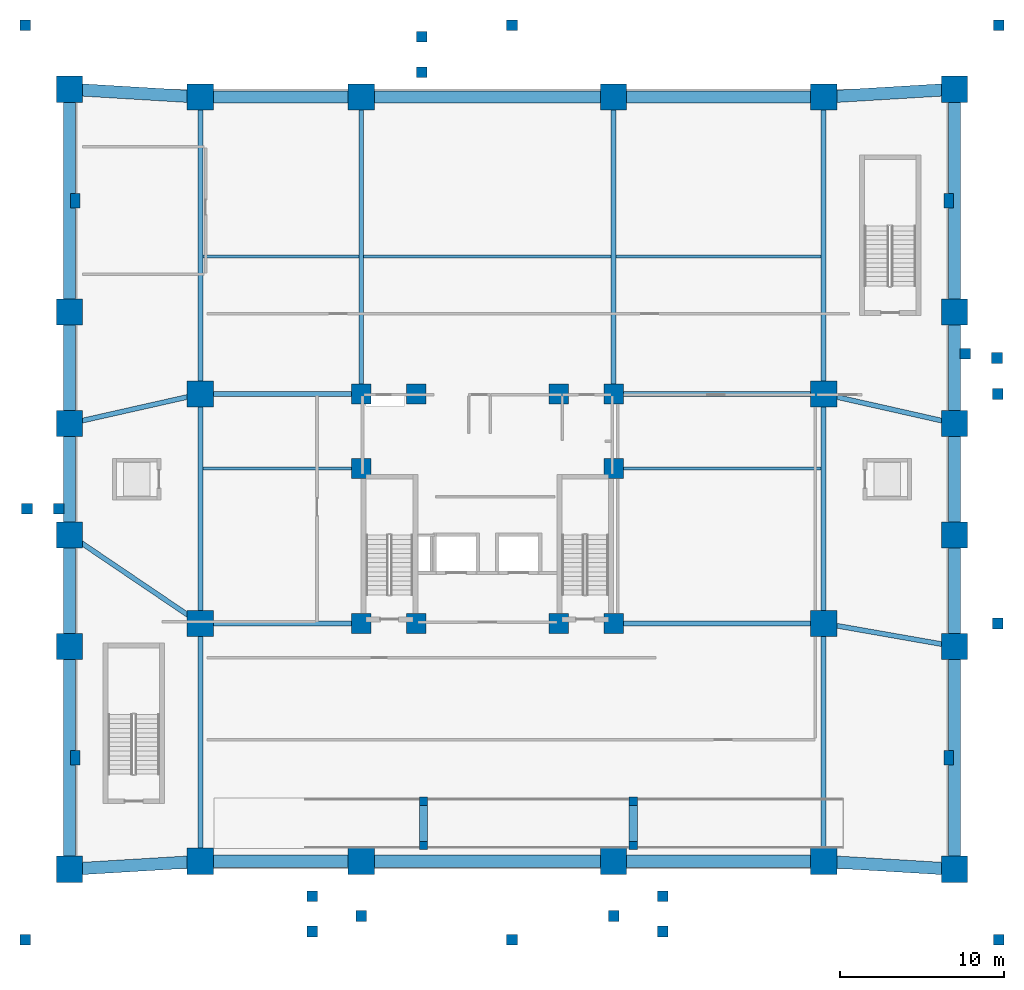
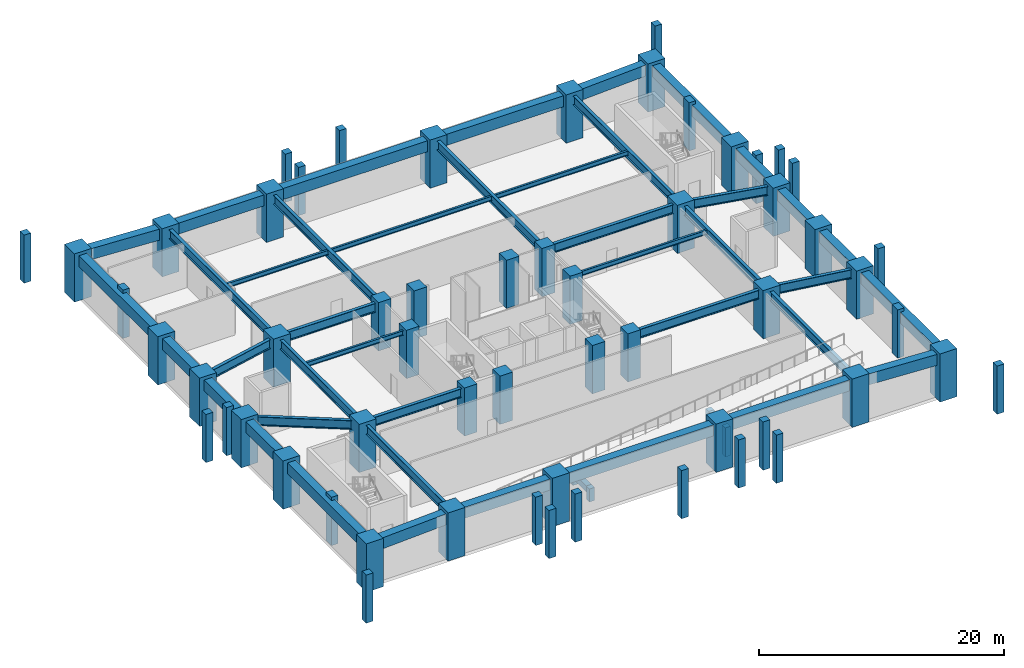
# One storey, part 1 of 8: 62 columns, 43 beams.
"""IFC4 building model written with IfcOpenShell, lengths in metres."""

import ifcopenshell
import ifcopenshell.guid

model = None  # the IFC model being written
_history = None  # IfcOwnerHistory: only IFC2X3 demands one
_inside = {}  # id of a spatial element -> (the spatial element, [elements in it])
_under = {}  # id of a project, library or spatial element -> (it, [spatial elements below it])
_declared = {}  # id of a project -> (the project, [libraries it declares])
_typed = {}  # id of a type object -> (the type object, [elements of that type])
_made_of = {}  # id of a material, layer set ... -> (it, [elements and type objects made of it])


def new_model(schema):
    """Start an empty IFC model of exactly this schema.

    Asked for "IFC4X3", IfcOpenShell would pick the latest addendum, in which some entities
    have other attributes; the version numbers below select the first issue.
    IFC2X3 requires an IfcOwnerHistory on every rooted entity: one is made here for all.
    """
    global model, _history
    if schema == "IFC4X3":
        model = ifcopenshell.file(schema_version=(4, 3, 0, 0))
    else:
        model = ifcopenshell.file(schema=schema)
    _inside.clear()
    _under.clear()
    _declared.clear()
    _typed.clear()
    _made_of.clear()
    _history = None
    if model.schema == "IFC2X3":
        org = make("IfcOrganization", Name="unknown")
        user = make(
            "IfcPersonAndOrganization",
            ThePerson=make("IfcPerson", FamilyName="unknown"),
            TheOrganization=org,
        )
        app = make(
            "IfcApplication",
            ApplicationDeveloper=org,
            Version="unknown",
            ApplicationFullName="unknown",
            ApplicationIdentifier="unknown",
        )
        _history = make(
            "IfcOwnerHistory",
            OwningUser=user,
            OwningApplication=app,
            ChangeAction="ADDED",
            CreationDate=0,
        )
    return model


def make(cls, **values):
    """One entity of the class cls with the attributes given. An attribute that is None is left unset."""
    return model.create_entity(
        cls, **{name: value for name, value in values.items() if value is not None}
    )


def rooted(cls, **values):
    """An entity with a GlobalId (a new one), such as an element, a storey or a relation."""
    return make(cls, GlobalId=ifcopenshell.guid.new(), OwnerHistory=_history, **values)


def si_unit(unit_type, name, prefix=None):
    """IfcSIUnit, for example si_unit("LENGTHUNIT", "METRE", prefix="MILLI")."""
    return make("IfcSIUnit", UnitType=unit_type, Prefix=prefix, Name=name)


def derived_unit(unit_type, elements):
    """IfcDerivedUnit: a product of units, each with its exponent."""
    return make(
        "IfcDerivedUnit",
        Elements=[
            make("IfcDerivedUnitElement", Unit=unit, Exponent=power)
            for unit, power in elements
        ],
        UnitType=unit_type,
    )


def assignment(units):
    """IfcUnitAssignment: the units of a project."""
    return None if units is None else make("IfcUnitAssignment", Units=units)


def point(xyz):
    """IfcCartesianPoint."""
    return None if xyz is None else make("IfcCartesianPoint", Coordinates=xyz)


def direction(xyz):
    """IfcDirection."""
    return None if xyz is None else make("IfcDirection", DirectionRatios=xyz)


def frame(location, z_axis=None, x_axis=None):
    """IfcAxis2Placement3D, a coordinate frame: its origin and axes. An axis left out is left unset."""
    return make(
        "IfcAxis2Placement3D",
        Location=point(location),
        Axis=direction(z_axis),
        RefDirection=direction(x_axis),
    )


def frame_2d(location, x_axis=None):
    """IfcAxis2Placement2D, a coordinate frame in the plane: its origin and x axis."""
    return make(
        "IfcAxis2Placement2D", Location=point(location), RefDirection=direction(x_axis)
    )


def origin():
    """The frame at (0, 0, 0) with its axes left unset."""
    return frame((0.0, 0.0, 0.0))


def origin_2d():
    """The frame at (0, 0) in the plane with its x axis left unset."""
    return frame_2d((0.0, 0.0))


def place(relative_to, where):
    """IfcLocalPlacement: puts the frame where relative to a parent placement (None: the world)."""
    return make(
        "IfcLocalPlacement", PlacementRelTo=relative_to, RelativePlacement=where
    )


def context(
    kind, dimensions, precision=None, world=None, true_north=None, identifier=None
):
    """IfcGeometricRepresentationContext, for example the 3D "Model" context."""
    return make(
        "IfcGeometricRepresentationContext",
        ContextIdentifier=identifier,
        ContextType=kind,
        CoordinateSpaceDimension=dimensions,
        Precision=precision,
        WorldCoordinateSystem=world,
        TrueNorth=true_north,
    )


def subcontext(parent, identifier, kind, view, scale=None):
    """IfcGeometricRepresentationSubContext, for example "Body" below "Model"."""
    return make(
        "IfcGeometricRepresentationSubContext",
        ContextIdentifier=identifier,
        ContextType=kind,
        ParentContext=parent,
        TargetScale=scale,
        TargetView=view,
    )


def project(units=None, contexts=None):
    """IfcProject with its units and contexts."""
    return rooted(
        "IfcProject",
        Name="project",
        RepresentationContexts=contexts,
        UnitsInContext=assignment(units),
    )


def spatial(cls, under=None, at=None, **own):
    """A site, building, storey or space (cls), placed at a placement, below another one or the project."""
    s = rooted(cls, ObjectPlacement=at, **own)
    if under is not None:
        _under.setdefault(under.id(), (under, []))[1].append(s)
    return s


def profile(cls, at=None, kind="AREA", **sizes):
    """A parametric profile (cls). Its sizes go by their IFC names, for example OverallWidth=200.0."""
    return make(cls, ProfileType=kind, Position=at, **sizes)


def rectangle(**sizes):
    """IfcRectangleProfileDef."""
    return profile("IfcRectangleProfileDef", **sizes)


def i_section(**sizes):
    """IfcIShapeProfileDef."""
    return profile("IfcIShapeProfileDef", **sizes)


def extrude(swept, where, along, depth):
    """IfcExtrudedAreaSolid: the profile swept, set in the frame where, extruded along a direction by depth."""
    return make(
        "IfcExtrudedAreaSolid",
        SweptArea=swept,
        Position=where,
        ExtrudedDirection=direction(along),
        Depth=depth,
    )


def shape(context_of_items, identifier, shape_type, items):
    """IfcShapeRepresentation: the items that make up one representation, for example the "Body"."""
    return make(
        "IfcShapeRepresentation",
        ContextOfItems=context_of_items,
        RepresentationIdentifier=identifier,
        RepresentationType=shape_type,
        Items=items,
    )


def material(Name=None, Category=None):
    """IfcMaterial."""
    return make("IfcMaterial", Name=Name, Category=Category)


def material_profile(
    of_material, cross_section, Name=None, Category=None, Priority=None
):
    """IfcMaterialProfile: a cross section and its material."""
    return make(
        "IfcMaterialProfile",
        Name=Name,
        Material=of_material,
        Profile=cross_section,
        Priority=Priority,
        Category=Category,
    )


def profile_set(profiles, Name=None, composite=None):
    """IfcMaterialProfileSet."""
    return make(
        "IfcMaterialProfileSet",
        Name=Name,
        MaterialProfiles=profiles,
        CompositeProfile=composite,
    )


def made_of(thing, what):
    """Note that an element or type object is made of a material, layer set ...; save() writes the relation."""
    if what is not None:
        _made_of.setdefault(what.id(), (what, []))[1].append(thing)
    return thing


def type_object(cls, material=None, **own):
    """A type object (cls), such as IfcWallType, which elements share."""
    return made_of(rooted(cls, **own), material)


def element(
    cls,
    number,
    at=None,
    inside=None,
    cuts=None,
    type_object=None,
    material=None,
    context=None,
    identifier="Body",
    shape_type=None,
    held_by="IfcProductDefinitionShape",
    body=None,
    shapes=None,
    **own,
):
    """One element of the class cls, such as IfcWall. Its Tag is "e" and its number.

    at: its placement. inside: the storey or other place that contains it. cuts: it is an
    opening in that element (IfcRelVoidsElement). A single representation is given by context,
    identifier, shape_type and body (its items); several are given by shapes. held_by: the class
    of the entity that holds the representations. save() writes the other relations.
    """
    e = rooted(cls, Tag="e%d" % number, ObjectPlacement=at, **own)
    if body is not None:
        shapes = [shape(context, identifier, shape_type, body)]
    if shapes is not None:
        e.Representation = make(held_by, Representations=shapes)
    if inside is not None:
        _inside.setdefault(inside.id(), (inside, []))[1].append(e)
    if cuts is not None:
        rooted(
            "IfcRelVoidsElement", RelatingBuildingElement=cuts, RelatedOpeningElement=e
        )
    if type_object is not None:
        _typed.setdefault(type_object.id(), (type_object, []))[1].append(e)
    return made_of(e, material)


def aggregate(whole, parts):
    """IfcRelAggregates: a whole, such as a stair, and the parts it consists of."""
    return rooted("IfcRelAggregates", RelatingObject=whole, RelatedObjects=parts)


def save(model, path):
    """Write the relations noted so far, then the file.

    IfcRelAggregates (storeys below a building ...), IfcRelContainedInSpatialStructure (elements
    in a storey), IfcRelDefinesByType, IfcRelAssociatesMaterial and IfcRelDeclares: one each for
    every whole, place, type object, material and project.
    """
    for whole, parts in _under.values():
        aggregate(whole, parts)
    for where, things in _inside.values():
        rooted(
            "IfcRelContainedInSpatialStructure",
            RelatedElements=things,
            RelatingStructure=where,
        )
    for kind, things in _typed.values():
        rooted("IfcRelDefinesByType", RelatedObjects=things, RelatingType=kind)
    for what, things in _made_of.values():
        rooted("IfcRelAssociatesMaterial", RelatedObjects=things, RelatingMaterial=what)
    for by, libraries in _declared.values():
        rooted("IfcRelDeclares", RelatingContext=by, RelatedDefinitions=libraries)
    model.write(path)


model = new_model("IFC4")

# Units and contexts
model_context = context("Model", 3, precision=1e-05, world=origin(), true_north=direction((0.0, 1.0)))
body_context = subcontext(model_context, "Body", "Model", "MODEL_VIEW")
ifc_project = project(units=[si_unit("LENGTHUNIT", "METRE"), si_unit("AREAUNIT", "SQUARE_METRE"), si_unit("VOLUMEUNIT", "CUBIC_METRE"), si_unit("PLANEANGLEUNIT", "RADIAN"), si_unit("MASSUNIT", "GRAM", prefix="KILO"), derived_unit("THERMALTRANSMITTANCEUNIT", [(si_unit("MASSUNIT", "GRAM", prefix="KILO"), 1), (si_unit("TIMEUNIT", "SECOND"), -3), (si_unit("THERMODYNAMICTEMPERATUREUNIT", "KELVIN"), -1)])], contexts=[model_context])

# Site, building, storey
site_placement = place(None, origin())
site = spatial("IfcSite", under=ifc_project, at=site_placement, CompositionType="ELEMENT")
building_placement = place(site_placement, origin())
building = spatial("IfcBuilding", under=site, at=building_placement, Name="Korrvale Station Residences", CompositionType="ELEMENT")
storey_placement = place(building_placement, frame((0.0, 0.0, -4.800048828125)))
storey = spatial("IfcBuildingStorey", under=building, at=storey_placement, Name="B01", CompositionType="ELEMENT", Elevation=-4.800048828125)

# Columns
ifc_material_1 = material(Name="Concrete C70/85", Category="concrete")
ifc_material_profile_1 = material_profile(ifc_material_1, rectangle(XDim=1.199951171875, YDim=1.199951171875, at=origin_2d()), Name="RC1200x1200")
ifc_profile_set_1 = profile_set([ifc_material_profile_1], Name="Concrete C70/85")
column_type_1 = type_object("IfcColumnType", Name="COL-C-RC1200x1200-C7085", PredefinedType="COLUMN", material=ifc_profile_set_1)
for number, where, z_axis, x_axis, name in (
    (1, (17.800048828125, 15.0, 0.0), (0.0, 0.0, 1.0), (1.0, 0.0, 0.0), "B01 Core Column 25"),
    (2, (21.14990234375, 15.0, 0.0), (0.0, 0.0, 1.0), (1.0, 0.0, 0.0), "B01 Core Column 26"),
    (3, (29.85009765625, 15.0, 0.0), (0.0, 0.0, 1.0), (1.0, 0.0, 0.0), "B01 Core Column 27"),
    (4, (33.199951171875, 15.0, 0.0), (0.0, 0.0, 1.0), (1.0, 0.0, 0.0), "B01 Core Column 28"),
    (5, (17.800048828125, 29.0, 0.0), (0.0, 0.0, 1.0), (1.0, 0.0, 0.0), "B01 Core Column 29"),
    (6, (21.14990234375, 29.0, 0.0), (0.0, 0.0, 1.0), (1.0, 0.0, 0.0), "B01 Core Column 30"),
    (7, (29.85009765625, 29.0, 0.0), (0.0, 0.0, 1.0), (1.0, 0.0, 0.0), "B01 Core Column 31"),
    (8, (33.199951171875, 29.0, 0.0), (0.0, 0.0, 1.0), (1.0, 0.0, 0.0), "B01 Core Column 32"),
    (9, (17.800048828125, 24.449951171875, 0.0), (0.0, 0.0, 1.0), (1.0, 0.0, 0.0), "B01 Core Column 33"),
    (10, (33.199951171875, 24.449951171875, 0.0), (0.0, 0.0, 1.0), (1.0, 0.0, 0.0), "B01 Core Column 34"),
):
    element("IfcColumn", number, at=place(storey_placement, frame(where, z_axis=z_axis, x_axis=x_axis)), inside=storey, type_object=column_type_1, Name=name, PredefinedType="COLUMN", context=body_context, shape_type="SweptSolid", body=[
        extrude(rectangle(XDim=1.199951171875, YDim=1.199951171875, at=origin_2d()), origin(), (0.0, 0.0, 1.0), 4.800048828125),
    ])
ifc_material_profile_2 = material_profile(ifc_material_1, rectangle(XDim=1.60009765625, YDim=1.60009765625, at=origin_2d()), Name="RC1600x1600")
ifc_profile_set_2 = profile_set([ifc_material_profile_2], Name="Concrete C70/85")
column_type_2 = type_object("IfcColumnType", Name="COL-C-RC1600x1600-C7085", PredefinedType="COLUMN", material=ifc_profile_set_2)
for number, where, z_axis, x_axis, name in (
    (11, (0.0, 0.0, 0.0), (0.0, 0.0, 1.0), (1.0, 0.0, 0.0), "B01 Station Mega-Column 01"),
    (12, (0.0, 13.60009765625, 0.0), (0.0, 0.0, 1.0), (1.0, 0.0, 0.0), "B01 Station Mega-Column 02"),
    (13, (0.0, 20.39990234375, 0.0), (0.0, 0.0, 1.0), (1.0, 0.0, 0.0), "B01 Station Mega-Column 03"),
    (14, (0.0, 27.199951171875, 0.0), (0.0, 0.0, 1.0), (1.0, 0.0, 0.0), "B01 Station Mega-Column 04"),
    (15, (0.0, 34.0, 0.0), (0.0, 0.0, 1.0), (1.0, 0.0, 0.0), "B01 Station Mega-Column 05"),
    (16, (0.0, 47.60009765625, 0.0), (0.0, 0.0, 1.0), (1.0, 0.0, 0.0), "B01 Station Mega-Column 06"),
    (17, (54.0, 0.0, 0.0), (0.0, 0.0, 1.0), (1.0, 0.0, 0.0), "B01 Station Mega-Column 07"),
    (18, (54.0, 13.60009765625, 0.0), (0.0, 0.0, 1.0), (1.0, 0.0, 0.0), "B01 Station Mega-Column 08"),
    (19, (54.0, 20.39990234375, 0.0), (0.0, 0.0, 1.0), (1.0, 0.0, 0.0), "B01 Station Mega-Column 09"),
    (20, (54.0, 27.199951171875, 0.0), (0.0, 0.0, 1.0), (1.0, 0.0, 0.0), "B01 Station Mega-Column 10"),
    (21, (54.0, 34.0, 0.0), (0.0, 0.0, 1.0), (1.0, 0.0, 0.0), "B01 Station Mega-Column 11"),
    (22, (54.0, 47.60009765625, 0.0), (0.0, 0.0, 1.0), (1.0, 0.0, 0.0), "B01 Station Mega-Column 12"),
    (23, (7.97998046875, 0.47998046875, 0.0), (0.0, 0.0, 1.0), (1.0, 0.0, 0.0), "B01 Station Mega-Column 13"),
    (24, (7.97998046875, 15.0, 0.0), (0.0, 0.0, 1.0), (1.0, 0.0, 0.0), "B01 Station Mega-Column 14"),
    (25, (7.97998046875, 29.0, 0.0), (0.0, 0.0, 1.0), (1.0, 0.0, 0.0), "B01 Station Mega-Column 15"),
    (26, (7.97998046875, 47.1201171875, 0.0), (0.0, 0.0, 1.0), (1.0, 0.0, 0.0), "B01 Station Mega-Column 16"),
    (27, (46.02001953125, 0.47998046875, 0.0), (0.0, 0.0, 1.0), (1.0, 0.0, 0.0), "B01 Station Mega-Column 17"),
    (28, (46.02001953125, 15.0, 0.0), (0.0, 0.0, 1.0), (1.0, 0.0, 0.0), "B01 Station Mega-Column 18"),
    (29, (46.02001953125, 29.0, 0.0), (0.0, 0.0, 1.0), (1.0, 0.0, 0.0), "B01 Station Mega-Column 19"),
    (30, (46.02001953125, 47.1201171875, 0.0), (0.0, 0.0, 1.0), (1.0, 0.0, 0.0), "B01 Station Mega-Column 20"),
    (31, (17.800048828125, 0.47998046875, 0.0), (0.0, 0.0, 1.0), (1.0, 0.0, 0.0), "B01 Station Mega-Column 21"),
    (32, (17.800048828125, 47.1201171875, 0.0), (0.0, 0.0, 1.0), (1.0, 0.0, 0.0), "B01 Station Mega-Column 22"),
    (33, (33.199951171875, 0.47998046875, 0.0), (0.0, 0.0, 1.0), (1.0, 0.0, 0.0), "B01 Station Mega-Column 23"),
    (34, (33.199951171875, 47.1201171875, 0.0), (0.0, 0.0, 1.0), (1.0, 0.0, 0.0), "B01 Station Mega-Column 24"),
):
    element("IfcColumn", number, at=place(storey_placement, frame(where, z_axis=z_axis, x_axis=x_axis)), inside=storey, type_object=column_type_2, Name=name, PredefinedType="COLUMN", context=body_context, shape_type="SweptSolid", body=[
        extrude(rectangle(XDim=1.60009765625, YDim=1.60009765625, at=origin_2d()), origin(), (0.0, 0.0, 1.0), 4.800048828125),
    ])
ifc_material_profile_3 = material_profile(ifc_material_1, rectangle(XDim=0.5, YDim=0.5, at=origin_2d()), Name="RC500x500")
ifc_profile_set_3 = profile_set([ifc_material_profile_3], Name="Concrete C70/85")
column_type_3 = type_object("IfcColumnType", Name="COL-C-RC500x500-C7085", PredefinedType="COLUMN", material=ifc_profile_set_3)
for number, where, z_axis, x_axis, name in (
    (35, (21.60009765625, 1.449951171875, 0.0), (0.0, 0.0, 1.0), (1.0, 0.0, 0.0), "B01 Vehicle Ramp Support Pier 1S"),
    (36, (21.60009765625, 4.14990234375, 0.0), (0.0, 0.0, 1.0), (1.0, 0.0, 0.0), "B01 Vehicle Ramp Support Pier 1N"),
):
    element("IfcColumn", number, at=place(storey_placement, frame(where, z_axis=z_axis, x_axis=x_axis)), inside=storey, type_object=column_type_3, Name=name, PredefinedType="COLUMN", context=body_context, shape_type="SweptSolid", body=[
        extrude(rectangle(XDim=0.5, YDim=0.5, at=origin_2d()), origin(), (0.0, 0.0, 1.0), 1.300048828125),
    ])
for number, where, z_axis, x_axis, name in (
    (37, (34.39990234375, 1.449951171875, 0.0), (0.0, 0.0, 1.0), (1.0, 0.0, 0.0), "B01 Vehicle Ramp Support Pier 2S"),
    (38, (34.39990234375, 4.14990234375, 0.0), (0.0, 0.0, 1.0), (1.0, 0.0, 0.0), "B01 Vehicle Ramp Support Pier 2N"),
):
    element("IfcColumn", number, at=place(storey_placement, frame(where, z_axis=z_axis, x_axis=x_axis)), inside=storey, type_object=column_type_3, Name=name, PredefinedType="COLUMN", context=body_context, shape_type="SweptSolid", body=[
        extrude(rectangle(XDim=0.5, YDim=0.5, at=origin_2d()), origin(), (0.0, 0.0, 1.0), 2.900146484375),
    ])
ifc_material_2 = material(Name="Concrete C50/60", Category="concrete")
ifc_material_profile_4 = material_profile(ifc_material_2, rectangle(XDim=0.64990234375, YDim=0.64990234375, at=origin_2d()), Name="RC650x650")
ifc_profile_set_4 = profile_set([ifc_material_profile_4], Name="Concrete C50/60")
column_type_4 = type_object("IfcColumnType", Name="COL-C-RC650x650-C5060", PredefinedType="COLUMN", material=ifc_profile_set_4)
for number, where, z_axis, x_axis, name in (
    (39, (-2.699951171875, -4.300048828125, 0.0), (0.0, 0.0, 1.0), (1.0, 0.0, 0.0), "B01 Plaza Substructure Pier 1"),
    (40, (27.0, -4.300048828125, 0.0), (0.0, 0.0, 1.0), (1.0, 0.0, 0.0), "B01 Plaza Substructure Pier 2"),
    (41, (56.699951171875, -4.300048828125, 0.0), (0.0, 0.0, 1.0), (1.0, 0.0, 0.0), "B01 Plaza Substructure Pier 3"),
    (42, (-2.699951171875, 51.5, 0.0), (0.0, 0.0, 1.0), (1.0, 0.0, 0.0), "B01 Plaza Substructure Pier 4"),
    (43, (27.0, 51.5, 0.0), (0.0, 0.0, 1.0), (1.0, 0.0, 0.0), "B01 Plaza Substructure Pier 5"),
    (44, (56.699951171875, 51.5, 0.0), (0.0, 0.0, 1.0), (1.0, 0.0, 0.0), "B01 Plaza Substructure Pier 6"),
    (45, (14.800048828125, -3.800048828125, 0.0), (0.0, 0.0, 1.0), (1.0, 0.0, 0.0), "B01 Plaza Substructure Pier 7"),
    (46, (14.800048828125, -1.639892578125, 0.0), (0.0, 0.0, 1.0), (1.0, 0.0, 0.0), "B01 Plaza Substructure Pier 8"),
    (47, (36.199951171875, -3.800048828125, 0.0), (0.0, 0.0, 1.0), (1.0, 0.0, 0.0), "B01 Plaza Substructure Pier 9"),
    (48, (36.199951171875, -1.639892578125, 0.0), (0.0, 0.0, 1.0), (1.0, 0.0, 0.0), "B01 Plaza Substructure Pier 10"),
    (49, (21.5, 50.800048828125, 0.0), (0.0, 0.0, 1.0), (1.0, 0.0, 0.0), "B01 Plaza Substructure Pier 11"),
    (50, (21.5, 48.639892578125, 0.0), (0.0, 0.0, 1.0), (1.0, 0.0, 0.0), "B01 Plaza Substructure Pier 12"),
    (51, (-2.60009765625, 22.0, 0.0), (0.0, 0.0, 1.0), (1.0, 0.0, 0.0), "B01 Plaza Substructure Pier 13"),
    (52, (-0.64990234375, 22.0, 0.0), (0.0, 0.0, 1.0), (1.0, 0.0, 0.0), "B01 Plaza Substructure Pier 14"),
    (53, (56.60009765625, 31.199951171875, 0.0), (0.0, 0.0, 1.0), (1.0, 0.0, 0.0), "B01 Plaza Substructure Pier 15"),
    (54, (54.64990234375, 31.449951171875, 0.0), (0.0, 0.0, 1.0), (1.0, 0.0, 0.0), "B01 Plaza Substructure Pier 16"),
    (55, (17.800048828125, -2.85009765625, 0.0), (0.0, 0.0, 1.0), (1.0, 0.0, 0.0), "B01 Canopy Substructure Column SOUTH1"),
    (56, (33.199951171875, -2.85009765625, 0.0), (0.0, 0.0, 1.0), (1.0, 0.0, 0.0), "B01 Canopy Substructure Column SOUTH2"),
    (57, (56.64990234375, 15.0, 0.0), (0.0, 0.0, 1.0), (1.0, 0.0, 0.0), "B01 Canopy Substructure Column EAST1"),
    (58, (56.64990234375, 29.0, 0.0), (0.0, 0.0, 1.0), (1.0, 0.0, 0.0), "B01 Canopy Substructure Column EAST2"),
):
    element("IfcColumn", number, at=place(storey_placement, frame(where, z_axis=z_axis, x_axis=x_axis)), inside=storey, type_object=column_type_4, Name=name, PredefinedType="COLUMN", context=body_context, shape_type="SweptSolid", body=[
        extrude(rectangle(XDim=0.64990234375, YDim=0.64990234375, at=origin_2d()), origin(), (0.0, 0.0, 1.0), 4.800048828125),
    ])
ifc_material_profile_5 = material_profile(ifc_material_1, rectangle(XDim=0.60009765625, YDim=0.89990234375, at=origin_2d()), Name="RC600x900")
ifc_profile_set_5 = profile_set([ifc_material_profile_5], Name="Concrete C70/85")
column_type_5 = type_object("IfcColumnType", Name="COL-PIL-RC600x900-C7085", PredefinedType="PILASTER", material=ifc_profile_set_5)
for number, where, z_axis, x_axis, name in (
    (59, (0.35009765625, 6.800048828125, 0.0), (0.0, 0.0, 1.0), (1.0, 0.0, 0.0), "B01 Concourse Portal Wall Pilaster 1"),
    (60, (0.35009765625, 40.800048828125, 0.0), (0.0, 0.0, 1.0), (1.0, 0.0, 0.0), "B01 Concourse Portal Wall Pilaster 2"),
    (61, (53.64990234375, 6.800048828125, 0.0), (0.0, 0.0, 1.0), (1.0, 0.0, 0.0), "B01 Concourse Portal Wall Pilaster 3"),
    (62, (53.64990234375, 40.800048828125, 0.0), (0.0, 0.0, 1.0), (1.0, 0.0, 0.0), "B01 Concourse Portal Wall Pilaster 4"),
):
    element("IfcColumn", number, at=place(storey_placement, frame(where, z_axis=z_axis, x_axis=x_axis)), inside=storey, type_object=column_type_5, Name=name, PredefinedType="PILASTER", context=body_context, shape_type="SweptSolid", body=[
        extrude(rectangle(XDim=0.60009765625, YDim=0.89990234375, at=origin_2d()), origin(), (0.0, 0.0, 1.0), 4.800048828125),
    ])

# Beams
ifc_material_profile_6 = material_profile(ifc_material_2, rectangle(XDim=0.5, YDim=0.60009765625, at=origin_2d()), Name="RCB500x600")
ifc_profile_set_6 = profile_set([ifc_material_profile_6], Name="Concrete C50/60")
beam_type_1 = type_object("IfcBeamType", Name="BM-BM-RCB500x600-C5060", PredefinedType="BEAM", material=ifc_profile_set_6)
for number, where, z_axis, x_axis, name in (
    (63, (21.60009765625, 1.25, 1.0), (0.0, 1.0, 0.0), (-1.0, 0.0, 0.0), "B01 Vehicle Ramp Transverse Support Beam 1"),
    (64, (34.39990234375, 1.25, 2.60009765625), (0.0, 1.0, 0.0), (-1.0, 0.0, 0.0), "B01 Vehicle Ramp Transverse Support Beam 2"),
):
    element("IfcBeam", number, at=place(storey_placement, frame(where, z_axis=z_axis, x_axis=x_axis)), inside=storey, type_object=beam_type_1, Name=name, PredefinedType="BEAM", context=body_context, shape_type="SweptSolid", body=[
        extrude(rectangle(XDim=0.5, YDim=0.60009765625, at=origin_2d()), origin(), (0.0, 0.0, 1.0), 3.10009765625),
    ])
ifc_material_3 = material(Name="Steel S355", Category="steel")
ifc_material_profile_7 = material_profile(ifc_material_3, i_section(OverallWidth=0.300048828125, OverallDepth=0.89990234375, WebThickness=0.01611328125, FlangeThickness=0.030029296875, FilletRadius=0.01611328125, at=origin_2d()), Name="WWF900x262")
ifc_profile_set_7 = profile_set([ifc_material_profile_7], Name="Steel S355")
beam_type_2 = type_object("IfcBeamType", Name="BM-BM-WWF900x262-S355", PredefinedType="BEAM", material=ifc_profile_set_7)
beam_1_placement = place(storey_placement, frame((7.97998046875, 0.47998046875, 4.030029296875), z_axis=(0.0, 1.0, 0.0), x_axis=(-1.0, 0.0, 0.0)))
element("IfcBeam", 65, at=beam_1_placement, inside=storey, type_object=beam_type_2, Name="B01 Station Primary Girder 01", PredefinedType="BEAM", context=body_context, shape_type="SweptSolid", body=[
    extrude(i_section(OverallWidth=0.300048828125, OverallDepth=0.89990234375, WebThickness=0.01611328125, FlangeThickness=0.030029296875, FilletRadius=0.01611328125, at=origin_2d()), origin(), (0.0, 0.0, 1.0), 14.52001953125),
])
beam_2_placement = place(storey_placement, frame((7.97998046875, 15.0, 4.030029296875), z_axis=(0.0, 1.0, 0.0), x_axis=(-1.0, 0.0, 0.0)))
element("IfcBeam", 66, at=beam_2_placement, inside=storey, type_object=beam_type_2, Name="B01 Station Primary Girder 02", PredefinedType="BEAM", context=body_context, shape_type="SweptSolid", body=[
    extrude(i_section(OverallWidth=0.300048828125, OverallDepth=0.89990234375, WebThickness=0.01611328125, FlangeThickness=0.030029296875, FilletRadius=0.01611328125, at=origin_2d()), origin(), (0.0, 0.0, 1.0), 14.0),
])
beam_3_placement = place(storey_placement, frame((7.97998046875, 29.0, 4.030029296875), z_axis=(0.0, 1.0, 0.0), x_axis=(-1.0, 0.0, 0.0)))
element("IfcBeam", 67, at=beam_3_placement, inside=storey, type_object=beam_type_2, Name="B01 Station Primary Girder 03", PredefinedType="BEAM", context=body_context, shape_type="SweptSolid", body=[
    extrude(i_section(OverallWidth=0.300048828125, OverallDepth=0.89990234375, WebThickness=0.01611328125, FlangeThickness=0.030029296875, FilletRadius=0.01611328125, at=origin_2d()), origin(), (0.0, 0.0, 1.0), 18.1201171875),
])
beam_4_placement = place(storey_placement, frame((46.02001953125, 0.47998046875, 4.030029296875), z_axis=(0.0, 1.0, 0.0), x_axis=(-1.0, 0.0, 0.0)))
element("IfcBeam", 68, at=beam_4_placement, inside=storey, type_object=beam_type_2, Name="B01 Station Primary Girder 04", PredefinedType="BEAM", context=body_context, shape_type="SweptSolid", body=[
    extrude(i_section(OverallWidth=0.300048828125, OverallDepth=0.89990234375, WebThickness=0.01611328125, FlangeThickness=0.030029296875, FilletRadius=0.01611328125, at=origin_2d()), origin(), (0.0, 0.0, 1.0), 14.52001953125),
])
beam_5_placement = place(storey_placement, frame((46.02001953125, 15.0, 4.030029296875), z_axis=(0.0, 1.0, 0.0), x_axis=(-1.0, 0.0, 0.0)))
element("IfcBeam", 69, at=beam_5_placement, inside=storey, type_object=beam_type_2, Name="B01 Station Primary Girder 05", PredefinedType="BEAM", context=body_context, shape_type="SweptSolid", body=[
    extrude(i_section(OverallWidth=0.300048828125, OverallDepth=0.89990234375, WebThickness=0.01611328125, FlangeThickness=0.030029296875, FilletRadius=0.01611328125, at=origin_2d()), origin(), (0.0, 0.0, 1.0), 14.0),
])
beam_6_placement = place(storey_placement, frame((46.02001953125, 29.0, 4.030029296875), z_axis=(0.0, 1.0, 0.0), x_axis=(-1.0, 0.0, 0.0)))
element("IfcBeam", 70, at=beam_6_placement, inside=storey, type_object=beam_type_2, Name="B01 Station Primary Girder 06", PredefinedType="BEAM", context=body_context, shape_type="SweptSolid", body=[
    extrude(i_section(OverallWidth=0.300048828125, OverallDepth=0.89990234375, WebThickness=0.01611328125, FlangeThickness=0.030029296875, FilletRadius=0.01611328125, at=origin_2d()), origin(), (0.0, 0.0, 1.0), 18.1201171875),
])
for number, where, z_axis, x_axis, name in (
    (71, (7.97998046875, 15.0, 4.030029296875), (1.0, 0.0, 0.0), (0.0, 1.0, 0.0), "B01 Station Primary Girder 07"),
    (72, (7.97998046875, 29.0, 4.030029296875), (1.0, 0.0, 0.0), (0.0, 1.0, 0.0), "B01 Station Primary Girder 08"),
):
    element("IfcBeam", number, at=place(storey_placement, frame(where, z_axis=z_axis, x_axis=x_axis)), inside=storey, type_object=beam_type_2, Name=name, PredefinedType="BEAM", context=body_context, shape_type="SweptSolid", body=[
        extrude(i_section(OverallWidth=0.300048828125, OverallDepth=0.89990234375, WebThickness=0.01611328125, FlangeThickness=0.030029296875, FilletRadius=0.01611328125, at=origin_2d()), origin(), (0.0, 0.0, 1.0), 9.820068359375),
    ])
for number, where, z_axis, x_axis, name in (
    (73, (17.800048828125, 29.0, 4.030029296875), (0.0, 1.0, 0.0), (-1.0, 0.0, 0.0), "B01 Station Primary Girder 09"),
    (74, (33.199951171875, 29.0, 4.030029296875), (0.0, 1.0, 0.0), (-1.0, 0.0, 0.0), "B01 Station Primary Girder 10"),
):
    element("IfcBeam", number, at=place(storey_placement, frame(where, z_axis=z_axis, x_axis=x_axis)), inside=storey, type_object=beam_type_2, Name=name, PredefinedType="BEAM", context=body_context, shape_type="SweptSolid", body=[
        extrude(i_section(OverallWidth=0.300048828125, OverallDepth=0.89990234375, WebThickness=0.01611328125, FlangeThickness=0.030029296875, FilletRadius=0.01611328125, at=origin_2d()), origin(), (0.0, 0.0, 1.0), 18.1201171875),
    ])
beam_7_placement = place(storey_placement, frame((0.0, 20.39990234375, 4.030029296875), z_axis=(0.828202472812, -0.560428999989, 0.0), x_axis=(0.560428999989, 0.828202472812, 0.0)))
element("IfcBeam", 75, at=beam_7_placement, inside=storey, type_object=beam_type_2, Name="B01 Station Primary Girder 11", PredefinedType="BEAM", context=body_context, shape_type="SweptSolid", body=[
    extrude(i_section(OverallWidth=0.300048828125, OverallDepth=0.89990234375, WebThickness=0.01611328125, FlangeThickness=0.030029296875, FilletRadius=0.01611328125, at=origin_2d()), origin(), (0.0, 0.0, 1.0), 9.63525390625),
])
beam_8_placement = place(storey_placement, frame((0.0, 27.199951171875, 4.030029296875), z_axis=(0.975490412643, 0.220041938824, 0.0), x_axis=(-0.220041938824, 0.975490412643, 0.0)))
element("IfcBeam", 76, at=beam_8_placement, inside=storey, type_object=beam_type_2, Name="B01 Station Primary Girder 12", PredefinedType="BEAM", context=body_context, shape_type="SweptSolid", body=[
    extrude(i_section(OverallWidth=0.300048828125, OverallDepth=0.89990234375, WebThickness=0.01611328125, FlangeThickness=0.030029296875, FilletRadius=0.01611328125, at=origin_2d()), origin(), (0.0, 0.0, 1.0), 8.180419921875),
])
beam_9_placement = place(storey_placement, frame((46.02001953125, 15.0, 4.030029296875), z_axis=(0.98495900412, -0.172788194628, 0.0), x_axis=(0.172788194628, 0.98495900412, 0.0)))
element("IfcBeam", 77, at=beam_9_placement, inside=storey, type_object=beam_type_2, Name="B01 Station Primary Girder 13", PredefinedType="BEAM", context=body_context, shape_type="SweptSolid", body=[
    extrude(i_section(OverallWidth=0.300048828125, OverallDepth=0.89990234375, WebThickness=0.01611328125, FlangeThickness=0.030029296875, FilletRadius=0.01611328125, at=origin_2d()), origin(), (0.0, 0.0, 1.0), 8.101806640625),
])
beam_10_placement = place(storey_placement, frame((46.02001953125, 29.0, 4.030029296875), z_axis=(0.975490412643, -0.220041938824, 0.0), x_axis=(0.220041938824, 0.975490412643, 0.0)))
element("IfcBeam", 78, at=beam_10_placement, inside=storey, type_object=beam_type_2, Name="B01 Station Primary Girder 14", PredefinedType="BEAM", context=body_context, shape_type="SweptSolid", body=[
    extrude(i_section(OverallWidth=0.300048828125, OverallDepth=0.89990234375, WebThickness=0.01611328125, FlangeThickness=0.030029296875, FilletRadius=0.01611328125, at=origin_2d()), origin(), (0.0, 0.0, 1.0), 8.180419921875),
])
for number, where, z_axis, x_axis, name in (
    (79, (33.199951171875, 15.0, 4.030029296875), (1.0, 0.0, 0.0), (0.0, 1.0, 0.0), "B01 Station Primary Girder 15"),
    (80, (33.199951171875, 29.0, 4.030029296875), (1.0, 0.0, 0.0), (0.0, 1.0, 0.0), "B01 Station Primary Girder 16"),
):
    element("IfcBeam", number, at=place(storey_placement, frame(where, z_axis=z_axis, x_axis=x_axis)), inside=storey, type_object=beam_type_2, Name=name, PredefinedType="BEAM", context=body_context, shape_type="SweptSolid", body=[
        extrude(i_section(OverallWidth=0.300048828125, OverallDepth=0.89990234375, WebThickness=0.01611328125, FlangeThickness=0.030029296875, FilletRadius=0.01611328125, at=origin_2d()), origin(), (0.0, 0.0, 1.0), 12.820068359375),
    ])
ifc_material_profile_8 = material_profile(ifc_material_3, i_section(OverallWidth=0.18994140625, OverallDepth=0.45703125, WebThickness=0.009033203125, FlangeThickness=0.014404296875, FilletRadius=0.01611328125, at=origin_2d()), Name="W460x74")
ifc_profile_set_8 = profile_set([ifc_material_profile_8], Name="Steel S355")
beam_type_3 = type_object("IfcBeamType", Name="BM-JST-W460x74-S355", PredefinedType="JOIST", material=ifc_profile_set_8)
beam_11_placement = place(storey_placement, frame((8.1298828125, 37.39990234375, 4.25146484375), z_axis=(1.0, 0.0, 0.0), x_axis=(0.0, 1.0, 0.0)))
element("IfcBeam", 81, at=beam_11_placement, inside=storey, type_object=beam_type_3, Name="B01 Station Floor Joist 01", PredefinedType="JOIST", context=body_context, shape_type="SweptSolid", body=[
    extrude(i_section(OverallWidth=0.18994140625, OverallDepth=0.45703125, WebThickness=0.009033203125, FlangeThickness=0.014404296875, FilletRadius=0.01611328125, at=origin_2d()), origin(), (0.0, 0.0, 1.0), 9.52001953125),
])
beam_12_placement = place(storey_placement, frame((17.949951171875, 37.39990234375, 4.25146484375), z_axis=(1.0, 0.0, 0.0), x_axis=(0.0, 1.0, 0.0)))
element("IfcBeam", 82, at=beam_12_placement, inside=storey, type_object=beam_type_3, Name="B01 Station Floor Joist 02", PredefinedType="JOIST", context=body_context, shape_type="SweptSolid", body=[
    extrude(i_section(OverallWidth=0.18994140625, OverallDepth=0.45703125, WebThickness=0.009033203125, FlangeThickness=0.014404296875, FilletRadius=0.01611328125, at=origin_2d()), origin(), (0.0, 0.0, 1.0), 15.10009765625),
])
beam_13_placement = place(storey_placement, frame((33.35009765625, 37.39990234375, 4.25146484375), z_axis=(1.0, 0.0, 0.0), x_axis=(0.0, 1.0, 0.0)))
element("IfcBeam", 83, at=beam_13_placement, inside=storey, type_object=beam_type_3, Name="B01 Station Floor Joist 03", PredefinedType="JOIST", context=body_context, shape_type="SweptSolid", body=[
    extrude(i_section(OverallWidth=0.18994140625, OverallDepth=0.45703125, WebThickness=0.009033203125, FlangeThickness=0.014404296875, FilletRadius=0.01611328125, at=origin_2d()), origin(), (0.0, 0.0, 1.0), 12.52001953125),
])
beam_14_placement = place(storey_placement, frame((8.1298828125, 24.449951171875, 4.25146484375), z_axis=(1.0, 0.0, 0.0), x_axis=(0.0, 1.0, 0.0)))
element("IfcBeam", 84, at=beam_14_placement, inside=storey, type_object=beam_type_3, Name="B01 Station Floor Joist 04", PredefinedType="JOIST", context=body_context, shape_type="SweptSolid", body=[
    extrude(i_section(OverallWidth=0.18994140625, OverallDepth=0.45703125, WebThickness=0.009033203125, FlangeThickness=0.014404296875, FilletRadius=0.01611328125, at=origin_2d()), origin(), (0.0, 0.0, 1.0), 9.52001953125),
])
beam_15_placement = place(storey_placement, frame((33.35009765625, 24.449951171875, 4.25146484375), z_axis=(1.0, 0.0, 0.0), x_axis=(0.0, 1.0, 0.0)))
element("IfcBeam", 85, at=beam_15_placement, inside=storey, type_object=beam_type_3, Name="B01 Station Floor Joist 05", PredefinedType="JOIST", context=body_context, shape_type="SweptSolid", body=[
    extrude(i_section(OverallWidth=0.18994140625, OverallDepth=0.45703125, WebThickness=0.009033203125, FlangeThickness=0.014404296875, FilletRadius=0.01611328125, at=origin_2d()), origin(), (0.0, 0.0, 1.0), 12.52001953125),
])
ifc_material_profile_9 = material_profile(ifc_material_1, rectangle(XDim=0.75, YDim=1.10009765625, at=origin_2d()), Name="RCB750x1100")
ifc_profile_set_9 = profile_set([ifc_material_profile_9], Name="Concrete C70/85")
beam_type_4 = type_object("IfcBeamType", Name="BM-SPB-RCB750x1100-C7085", PredefinedType="SPANDREL", material=ifc_profile_set_9)
beam_16_placement = place(storey_placement, frame((0.0, 0.0, 3.929931640625), z_axis=(0.0, 1.0, 0.0), x_axis=(-1.0, 0.0, 0.0)))
element("IfcBeam", 86, at=beam_16_placement, inside=storey, type_object=beam_type_4, Name="B01 Station Spandrel Beam 01", PredefinedType="SPANDREL", context=body_context, shape_type="SweptSolid", body=[
    extrude(rectangle(XDim=0.75, YDim=1.10009765625, at=origin_2d()), origin(), (0.0, 0.0, 1.0), 13.60009765625),
])
beam_17_placement = place(storey_placement, frame((0.0, 13.60009765625, 3.929931640625), z_axis=(0.0, 1.0, 0.0), x_axis=(-1.0, 0.0, 0.0)))
element("IfcBeam", 87, at=beam_17_placement, inside=storey, type_object=beam_type_4, Name="B01 Station Spandrel Beam 02", PredefinedType="SPANDREL", context=body_context, shape_type="SweptSolid", body=[
    extrude(rectangle(XDim=0.75, YDim=1.10009765625, at=origin_2d()), origin(), (0.0, 0.0, 1.0), 6.7998046875),
])
for number, where, z_axis, x_axis, name in (
    (88, (0.0, 20.39990234375, 3.929931640625), (0.0, 1.0, 0.0), (-1.0, 0.0, 0.0), "B01 Station Spandrel Beam 03"),
    (89, (0.0, 27.199951171875, 3.929931640625), (0.0, 1.0, 0.0), (-1.0, 0.0, 0.0), "B01 Station Spandrel Beam 04"),
):
    element("IfcBeam", number, at=place(storey_placement, frame(where, z_axis=z_axis, x_axis=x_axis)), inside=storey, type_object=beam_type_4, Name=name, PredefinedType="SPANDREL", context=body_context, shape_type="SweptSolid", body=[
        extrude(rectangle(XDim=0.75, YDim=1.10009765625, at=origin_2d()), origin(), (0.0, 0.0, 1.0), 6.800048828125),
    ])
for number, where, z_axis, x_axis, name in (
    (90, (0.0, 34.0, 3.929931640625), (0.0, 1.0, 0.0), (-1.0, 0.0, 0.0), "B01 Station Spandrel Beam 05"),
    (91, (54.0, 0.0, 3.929931640625), (0.0, 1.0, 0.0), (-1.0, 0.0, 0.0), "B01 Station Spandrel Beam 06"),
):
    element("IfcBeam", number, at=place(storey_placement, frame(where, z_axis=z_axis, x_axis=x_axis)), inside=storey, type_object=beam_type_4, Name=name, PredefinedType="SPANDREL", context=body_context, shape_type="SweptSolid", body=[
        extrude(rectangle(XDim=0.75, YDim=1.10009765625, at=origin_2d()), origin(), (0.0, 0.0, 1.0), 13.60009765625),
    ])
beam_18_placement = place(storey_placement, frame((54.0, 13.60009765625, 3.929931640625), z_axis=(0.0, 1.0, 0.0), x_axis=(-1.0, 0.0, 0.0)))
element("IfcBeam", 92, at=beam_18_placement, inside=storey, type_object=beam_type_4, Name="B01 Station Spandrel Beam 07", PredefinedType="SPANDREL", context=body_context, shape_type="SweptSolid", body=[
    extrude(rectangle(XDim=0.75, YDim=1.10009765625, at=origin_2d()), origin(), (0.0, 0.0, 1.0), 6.7998046875),
])
for number, where, z_axis, x_axis, name in (
    (93, (54.0, 20.39990234375, 3.929931640625), (0.0, 1.0, 0.0), (-1.0, 0.0, 0.0), "B01 Station Spandrel Beam 08"),
    (94, (54.0, 27.199951171875, 3.929931640625), (0.0, 1.0, 0.0), (-1.0, 0.0, 0.0), "B01 Station Spandrel Beam 09"),
):
    element("IfcBeam", number, at=place(storey_placement, frame(where, z_axis=z_axis, x_axis=x_axis)), inside=storey, type_object=beam_type_4, Name=name, PredefinedType="SPANDREL", context=body_context, shape_type="SweptSolid", body=[
        extrude(rectangle(XDim=0.75, YDim=1.10009765625, at=origin_2d()), origin(), (0.0, 0.0, 1.0), 6.800048828125),
    ])
beam_19_placement = place(storey_placement, frame((54.0, 34.0, 3.929931640625), z_axis=(0.0, 1.0, 0.0), x_axis=(-1.0, 0.0, 0.0)))
element("IfcBeam", 95, at=beam_19_placement, inside=storey, type_object=beam_type_4, Name="B01 Station Spandrel Beam 10", PredefinedType="SPANDREL", context=body_context, shape_type="SweptSolid", body=[
    extrude(rectangle(XDim=0.75, YDim=1.10009765625, at=origin_2d()), origin(), (0.0, 0.0, 1.0), 13.60009765625),
])
beam_20_placement = place(storey_placement, frame((0.0, 0.0, 3.929931640625), z_axis=(0.998195997903, 0.060039568374, 0.0), x_axis=(-0.060039568374, 0.998195997903, 0.0)))
element("IfcBeam", 96, at=beam_20_placement, inside=storey, type_object=beam_type_4, Name="B01 Station Spandrel Beam 11", PredefinedType="SPANDREL", context=body_context, shape_type="SweptSolid", body=[
    extrude(rectangle(XDim=0.75, YDim=1.10009765625, at=origin_2d()), origin(), (0.0, 0.0, 1.0), 7.994384765625),
])
beam_21_placement = place(storey_placement, frame((7.97998046875, 0.47998046875, 3.929931640625), z_axis=(1.0, 0.0, 0.0), x_axis=(0.0, 1.0, 0.0)))
element("IfcBeam", 97, at=beam_21_placement, inside=storey, type_object=beam_type_4, Name="B01 Station Spandrel Beam 12", PredefinedType="SPANDREL", context=body_context, shape_type="SweptSolid", body=[
    extrude(rectangle(XDim=0.75, YDim=1.10009765625, at=origin_2d()), origin(), (0.0, 0.0, 1.0), 9.820068359375),
])
beam_22_placement = place(storey_placement, frame((17.800048828125, 0.47998046875, 3.929931640625), z_axis=(1.0, 0.0, 0.0), x_axis=(0.0, 1.0, 0.0)))
element("IfcBeam", 98, at=beam_22_placement, inside=storey, type_object=beam_type_4, Name="B01 Station Spandrel Beam 13", PredefinedType="SPANDREL", context=body_context, shape_type="SweptSolid", body=[
    extrude(rectangle(XDim=0.75, YDim=1.10009765625, at=origin_2d()), origin(), (0.0, 0.0, 1.0), 15.39990234375),
])
beam_23_placement = place(storey_placement, frame((33.199951171875, 0.47998046875, 3.929931640625), z_axis=(1.0, 0.0, 0.0), x_axis=(0.0, 1.0, 0.0)))
element("IfcBeam", 99, at=beam_23_placement, inside=storey, type_object=beam_type_4, Name="B01 Station Spandrel Beam 14", PredefinedType="SPANDREL", context=body_context, shape_type="SweptSolid", body=[
    extrude(rectangle(XDim=0.75, YDim=1.10009765625, at=origin_2d()), origin(), (0.0, 0.0, 1.0), 12.820068359375),
])
for number, where, z_axis, x_axis, name in (
    (100, (46.02001953125, 0.47998046875, 3.929931640625), (0.998195997903, -0.060039568374, 0.0), (0.060039568374, 0.998195997903, 0.0), "B01 Station Spandrel Beam 15"),
    (101, (0.0, 47.60009765625, 3.929931640625), (0.998195997903, -0.060039568374, 0.0), (0.060039568374, 0.998195997903, 0.0), "B01 Station Spandrel Beam 16"),
):
    element("IfcBeam", number, at=place(storey_placement, frame(where, z_axis=z_axis, x_axis=x_axis)), inside=storey, type_object=beam_type_4, Name=name, PredefinedType="SPANDREL", context=body_context, shape_type="SweptSolid", body=[
        extrude(rectangle(XDim=0.75, YDim=1.10009765625, at=origin_2d()), origin(), (0.0, 0.0, 1.0), 7.994384765625),
    ])
beam_24_placement = place(storey_placement, frame((7.97998046875, 47.1201171875, 3.929931640625), z_axis=(1.0, 0.0, 0.0), x_axis=(0.0, 1.0, 0.0)))
element("IfcBeam", 102, at=beam_24_placement, inside=storey, type_object=beam_type_4, Name="B01 Station Spandrel Beam 17", PredefinedType="SPANDREL", context=body_context, shape_type="SweptSolid", body=[
    extrude(rectangle(XDim=0.75, YDim=1.10009765625, at=origin_2d()), origin(), (0.0, 0.0, 1.0), 9.820068359375),
])
beam_25_placement = place(storey_placement, frame((17.800048828125, 47.1201171875, 3.929931640625), z_axis=(1.0, 0.0, 0.0), x_axis=(0.0, 1.0, 0.0)))
element("IfcBeam", 103, at=beam_25_placement, inside=storey, type_object=beam_type_4, Name="B01 Station Spandrel Beam 18", PredefinedType="SPANDREL", context=body_context, shape_type="SweptSolid", body=[
    extrude(rectangle(XDim=0.75, YDim=1.10009765625, at=origin_2d()), origin(), (0.0, 0.0, 1.0), 15.39990234375),
])
beam_26_placement = place(storey_placement, frame((33.199951171875, 47.1201171875, 3.929931640625), z_axis=(1.0, 0.0, 0.0), x_axis=(0.0, 1.0, 0.0)))
element("IfcBeam", 104, at=beam_26_placement, inside=storey, type_object=beam_type_4, Name="B01 Station Spandrel Beam 19", PredefinedType="SPANDREL", context=body_context, shape_type="SweptSolid", body=[
    extrude(rectangle(XDim=0.75, YDim=1.10009765625, at=origin_2d()), origin(), (0.0, 0.0, 1.0), 12.820068359375),
])
beam_27_placement = place(storey_placement, frame((46.02001953125, 47.1201171875, 3.929931640625), z_axis=(0.998195997903, 0.060039568374, 0.0), x_axis=(-0.060039568374, 0.998195997903, 0.0)))
element("IfcBeam", 105, at=beam_27_placement, inside=storey, type_object=beam_type_4, Name="B01 Station Spandrel Beam 20", PredefinedType="SPANDREL", context=body_context, shape_type="SweptSolid", body=[
    extrude(rectangle(XDim=0.75, YDim=1.10009765625, at=origin_2d()), origin(), (0.0, 0.0, 1.0), 7.994384765625),
])

save(model, "model.ifc")
